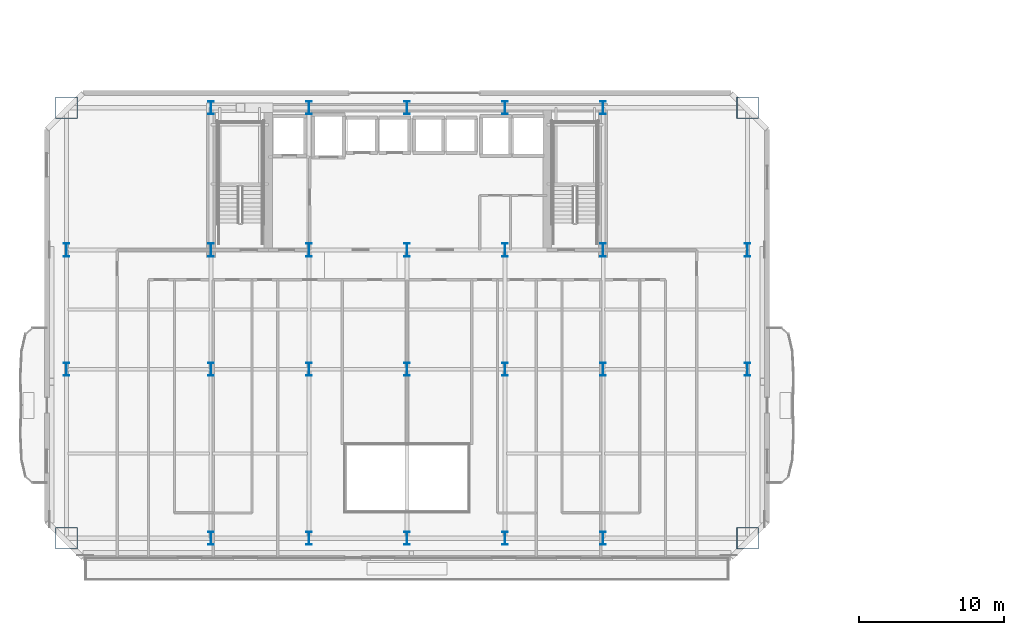
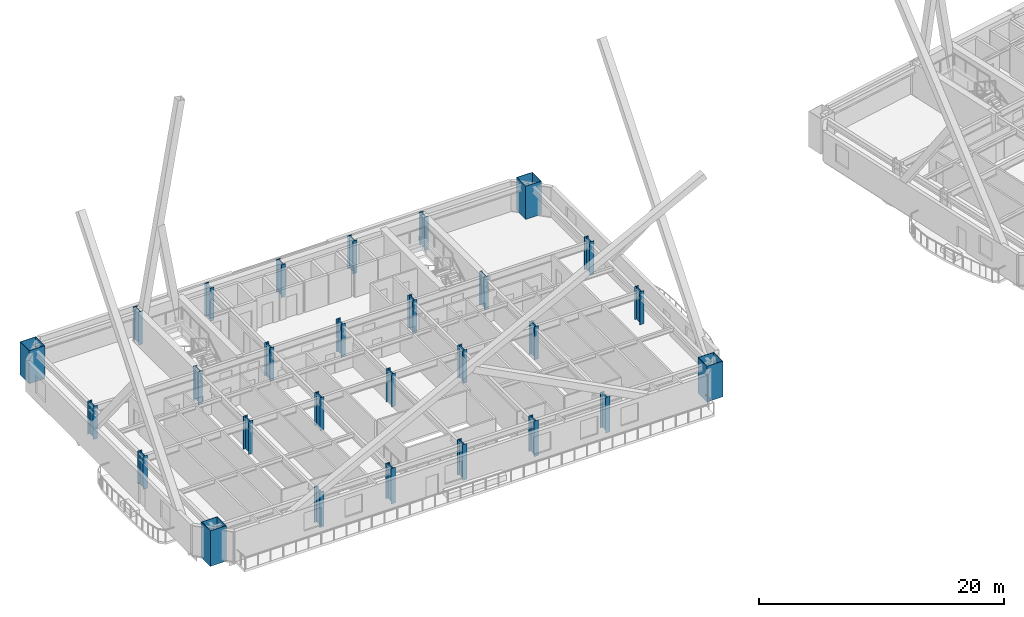
# One storey, part 1 of 22: 28 columns.
"""IFC4 building model written with IfcOpenShell, lengths in metres."""

from ifc_helpers import new_model, si_unit, direction, frame, origin, origin_2d, place, context, subcontext, project, spatial, hollow_rectangle, i_section, extrude, material, material_profile, profile_set, type_object, element, save


model = new_model("IFC4")

# Units and contexts
model_context = context("Model", 3, precision=1e-05, world=origin(), true_north=direction((0.0, 1.0)))
body_context = subcontext(model_context, "Body", "Model", "MODEL_VIEW")
ifc_project = project(units=[si_unit("LENGTHUNIT", "METRE"), si_unit("AREAUNIT", "SQUARE_METRE"), si_unit("VOLUMEUNIT", "CUBIC_METRE"), si_unit("PLANEANGLEUNIT", "RADIAN"), si_unit("MASSUNIT", "GRAM", prefix="KILO")], contexts=[model_context])

# Site, building, storey
site_placement = place(None, origin())
site = spatial("IfcSite", under=ifc_project, at=site_placement, CompositionType="ELEMENT")
building_placement = place(site_placement, origin())
building = spatial("IfcBuilding", under=site, at=building_placement, Name="Haevon Station Towers", CompositionType="ELEMENT")
storey_placement = place(building_placement, frame((0.0, 0.0, 70.199951171875)))
storey = spatial("IfcBuildingStorey", under=building, at=storey_placement, Name="L18", CompositionType="ELEMENT", Elevation=70.199951171875)

# Columns
ifc_material = material(Name="Steel S460", Category="steel")
ifc_material_profile_1 = material_profile(ifc_material, hollow_rectangle(XDim=1.5, YDim=1.5, WallThickness=0.0400390625, at=origin_2d()), Name="BOX-1500x1500x40")
ifc_profile_set_1 = profile_set([ifc_material_profile_1], Name="Steel S460")
column_type_1 = type_object("IfcColumnType", Name="COL-MC2", PredefinedType="COLUMN", material=ifc_profile_set_1)
column_1_placement = place(storey_placement, frame((14.050048828125, 18.35009765625, -0.25), z_axis=(0.0, 0.0, 1.0), x_axis=(1.0, 0.0, 0.0)))
element("IfcColumn", 1, at=column_1_placement, inside=storey, type_object=column_type_1, Name="COL-T1-L18-01-01", PredefinedType="COLUMN", context=body_context, shape_type="SweptSolid", body=[
    extrude(hollow_rectangle(XDim=1.5, YDim=1.5, WallThickness=0.0400390625, at=origin_2d()), origin(), (0.0, 0.0, 1.0), 3.550048828125),
])
column_2_placement = place(storey_placement, frame((14.050048828125, 48.0, 0.0), z_axis=(0.0, 0.0, 1.0), x_axis=(1.0, 0.0, 0.0)))
element("IfcColumn", 2, at=column_2_placement, inside=storey, type_object=column_type_1, Name="COL-T1-L18-01-04", PredefinedType="COLUMN", context=body_context, shape_type="SweptSolid", body=[
    extrude(hollow_rectangle(XDim=1.5, YDim=1.5, WallThickness=0.0400390625, at=origin_2d()), origin(), (0.0, 0.0, 1.0), 3.300048828125),
])
column_3_placement = place(storey_placement, frame((60.949951171875, 18.35009765625, -0.25), z_axis=(0.0, 0.0, 1.0), x_axis=(1.0, 0.0, 0.0)))
element("IfcColumn", 3, at=column_3_placement, inside=storey, type_object=column_type_1, Name="COL-T1-L18-07-01", PredefinedType="COLUMN", context=body_context, shape_type="SweptSolid", body=[
    extrude(hollow_rectangle(XDim=1.5, YDim=1.5, WallThickness=0.0400390625, at=origin_2d()), origin(), (0.0, 0.0, 1.0), 3.550048828125),
])
column_4_placement = place(storey_placement, frame((60.949951171875, 48.0, 0.0), z_axis=(0.0, 0.0, 1.0), x_axis=(1.0, 0.0, 0.0)))
element("IfcColumn", 4, at=column_4_placement, inside=storey, type_object=column_type_1, Name="COL-T1-L18-07-04", PredefinedType="COLUMN", context=body_context, shape_type="SweptSolid", body=[
    extrude(hollow_rectangle(XDim=1.5, YDim=1.5, WallThickness=0.0400390625, at=origin_2d()), origin(), (0.0, 0.0, 1.0), 3.300048828125),
])
ifc_material_profile_2 = material_profile(ifc_material, i_section(OverallWidth=0.39990234375, OverallDepth=0.89990234375, WebThickness=0.02001953125, FlangeThickness=0.035888671875, at=origin_2d()), Name="H-900x400x20x36")
ifc_profile_set_2 = profile_set([ifc_material_profile_2], Name="Steel S460")
column_type_2 = type_object("IfcColumnType", Name="COL-TW1", PredefinedType="COLUMN", material=ifc_profile_set_2)
for number, where, z_axis, x_axis, name in (
    (5, (14.050048828125, 30.0, 0.0), (0.0, 0.0, 1.0), (1.0, 0.0, 0.0), "COL-T1-L18-01-02"),
    (6, (14.050048828125, 38.199951171875, 0.0), (0.0, 0.0, 1.0), (1.0, 0.0, 0.0), "COL-T1-L18-01-03"),
):
    element("IfcColumn", number, at=place(storey_placement, frame(where, z_axis=z_axis, x_axis=x_axis)), inside=storey, type_object=column_type_2, Name=name, PredefinedType="COLUMN", context=body_context, shape_type="SweptSolid", body=[
        extrude(i_section(OverallWidth=0.39990234375, OverallDepth=0.89990234375, WebThickness=0.02001953125, FlangeThickness=0.035888671875, at=origin_2d()), origin(), (0.0, 0.0, 1.0), 3.300048828125),
    ])
column_5_placement = place(storey_placement, frame((24.0, 18.35009765625, -0.25), z_axis=(0.0, 0.0, 1.0), x_axis=(1.0, 0.0, 0.0)))
element("IfcColumn", 7, at=column_5_placement, inside=storey, type_object=column_type_2, Name="COL-T1-L18-02-01", PredefinedType="COLUMN", context=body_context, shape_type="SweptSolid", body=[
    extrude(i_section(OverallWidth=0.39990234375, OverallDepth=0.89990234375, WebThickness=0.02001953125, FlangeThickness=0.035888671875, at=origin_2d()), origin(), (0.0, 0.0, 1.0), 3.550048828125),
])
for number, where, z_axis, x_axis, name in (
    (8, (24.0, 30.0, 0.0), (0.0, 0.0, 1.0), (1.0, 0.0, 0.0), "COL-T1-L18-02-02"),
    (9, (24.0, 38.199951171875, 0.0), (0.0, 0.0, 1.0), (1.0, 0.0, 0.0), "COL-T1-L18-02-03"),
    (10, (24.0, 48.0, 0.0), (0.0, 0.0, 1.0), (1.0, 0.0, 0.0), "COL-T1-L18-02-04"),
):
    element("IfcColumn", number, at=place(storey_placement, frame(where, z_axis=z_axis, x_axis=x_axis)), inside=storey, type_object=column_type_2, Name=name, PredefinedType="COLUMN", context=body_context, shape_type="SweptSolid", body=[
        extrude(i_section(OverallWidth=0.39990234375, OverallDepth=0.89990234375, WebThickness=0.02001953125, FlangeThickness=0.035888671875, at=origin_2d()), origin(), (0.0, 0.0, 1.0), 3.300048828125),
    ])
column_6_placement = place(storey_placement, frame((30.75, 18.35009765625, -0.25), z_axis=(0.0, 0.0, 1.0), x_axis=(1.0, 0.0, 0.0)))
element("IfcColumn", 11, at=column_6_placement, inside=storey, type_object=column_type_2, Name="COL-T1-L18-03-01", PredefinedType="COLUMN", context=body_context, shape_type="SweptSolid", body=[
    extrude(i_section(OverallWidth=0.39990234375, OverallDepth=0.89990234375, WebThickness=0.02001953125, FlangeThickness=0.035888671875, at=origin_2d()), origin(), (0.0, 0.0, 1.0), 3.550048828125),
])
for number, where, z_axis, x_axis, name in (
    (12, (30.75, 30.0, 0.0), (0.0, 0.0, 1.0), (1.0, 0.0, 0.0), "COL-T1-L18-03-02"),
    (13, (30.75, 38.199951171875, 0.0), (0.0, 0.0, 1.0), (1.0, 0.0, 0.0), "COL-T1-L18-03-03"),
    (14, (30.75, 48.0, 0.0), (0.0, 0.0, 1.0), (1.0, 0.0, 0.0), "COL-T1-L18-03-04"),
):
    element("IfcColumn", number, at=place(storey_placement, frame(where, z_axis=z_axis, x_axis=x_axis)), inside=storey, type_object=column_type_2, Name=name, PredefinedType="COLUMN", context=body_context, shape_type="SweptSolid", body=[
        extrude(i_section(OverallWidth=0.39990234375, OverallDepth=0.89990234375, WebThickness=0.02001953125, FlangeThickness=0.035888671875, at=origin_2d()), origin(), (0.0, 0.0, 1.0), 3.300048828125),
    ])
column_7_placement = place(storey_placement, frame((37.5, 18.35009765625, -0.25), z_axis=(0.0, 0.0, 1.0), x_axis=(1.0, 0.0, 0.0)))
element("IfcColumn", 15, at=column_7_placement, inside=storey, type_object=column_type_2, Name="COL-T1-L18-04-01", PredefinedType="COLUMN", context=body_context, shape_type="SweptSolid", body=[
    extrude(i_section(OverallWidth=0.39990234375, OverallDepth=0.89990234375, WebThickness=0.02001953125, FlangeThickness=0.035888671875, at=origin_2d()), origin(), (0.0, 0.0, 1.0), 3.550048828125),
])
for number, where, z_axis, x_axis, name in (
    (16, (37.5, 30.0, 0.0), (0.0, 0.0, 1.0), (1.0, 0.0, 0.0), "COL-T1-L18-04-02"),
    (17, (37.5, 38.199951171875, 0.0), (0.0, 0.0, 1.0), (1.0, 0.0, 0.0), "COL-T1-L18-04-03"),
    (18, (37.5, 48.0, 0.0), (0.0, 0.0, 1.0), (1.0, 0.0, 0.0), "COL-T1-L18-04-04"),
):
    element("IfcColumn", number, at=place(storey_placement, frame(where, z_axis=z_axis, x_axis=x_axis)), inside=storey, type_object=column_type_2, Name=name, PredefinedType="COLUMN", context=body_context, shape_type="SweptSolid", body=[
        extrude(i_section(OverallWidth=0.39990234375, OverallDepth=0.89990234375, WebThickness=0.02001953125, FlangeThickness=0.035888671875, at=origin_2d()), origin(), (0.0, 0.0, 1.0), 3.300048828125),
    ])
column_8_placement = place(storey_placement, frame((44.25, 18.35009765625, -0.25), z_axis=(0.0, 0.0, 1.0), x_axis=(1.0, 0.0, 0.0)))
element("IfcColumn", 19, at=column_8_placement, inside=storey, type_object=column_type_2, Name="COL-T1-L18-05-01", PredefinedType="COLUMN", context=body_context, shape_type="SweptSolid", body=[
    extrude(i_section(OverallWidth=0.39990234375, OverallDepth=0.89990234375, WebThickness=0.02001953125, FlangeThickness=0.035888671875, at=origin_2d()), origin(), (0.0, 0.0, 1.0), 3.550048828125),
])
for number, where, z_axis, x_axis, name in (
    (20, (44.25, 30.0, 0.0), (0.0, 0.0, 1.0), (1.0, 0.0, 0.0), "COL-T1-L18-05-02"),
    (21, (44.25, 38.199951171875, 0.0), (0.0, 0.0, 1.0), (1.0, 0.0, 0.0), "COL-T1-L18-05-03"),
    (22, (44.25, 48.0, 0.0), (0.0, 0.0, 1.0), (1.0, 0.0, 0.0), "COL-T1-L18-05-04"),
):
    element("IfcColumn", number, at=place(storey_placement, frame(where, z_axis=z_axis, x_axis=x_axis)), inside=storey, type_object=column_type_2, Name=name, PredefinedType="COLUMN", context=body_context, shape_type="SweptSolid", body=[
        extrude(i_section(OverallWidth=0.39990234375, OverallDepth=0.89990234375, WebThickness=0.02001953125, FlangeThickness=0.035888671875, at=origin_2d()), origin(), (0.0, 0.0, 1.0), 3.300048828125),
    ])
column_9_placement = place(storey_placement, frame((51.0, 18.35009765625, -0.25), z_axis=(0.0, 0.0, 1.0), x_axis=(1.0, 0.0, 0.0)))
element("IfcColumn", 23, at=column_9_placement, inside=storey, type_object=column_type_2, Name="COL-T1-L18-06-01", PredefinedType="COLUMN", context=body_context, shape_type="SweptSolid", body=[
    extrude(i_section(OverallWidth=0.39990234375, OverallDepth=0.89990234375, WebThickness=0.02001953125, FlangeThickness=0.035888671875, at=origin_2d()), origin(), (0.0, 0.0, 1.0), 3.550048828125),
])
for number, where, z_axis, x_axis, name in (
    (24, (51.0, 30.0, 0.0), (0.0, 0.0, 1.0), (1.0, 0.0, 0.0), "COL-T1-L18-06-02"),
    (25, (51.0, 38.199951171875, 0.0), (0.0, 0.0, 1.0), (1.0, 0.0, 0.0), "COL-T1-L18-06-03"),
    (26, (51.0, 48.0, 0.0), (0.0, 0.0, 1.0), (1.0, 0.0, 0.0), "COL-T1-L18-06-04"),
    (27, (60.949951171875, 30.0, 0.0), (0.0, 0.0, 1.0), (1.0, 0.0, 0.0), "COL-T1-L18-07-02"),
    (28, (60.949951171875, 38.199951171875, 0.0), (0.0, 0.0, 1.0), (1.0, 0.0, 0.0), "COL-T1-L18-07-03"),
):
    element("IfcColumn", number, at=place(storey_placement, frame(where, z_axis=z_axis, x_axis=x_axis)), inside=storey, type_object=column_type_2, Name=name, PredefinedType="COLUMN", context=body_context, shape_type="SweptSolid", body=[
        extrude(i_section(OverallWidth=0.39990234375, OverallDepth=0.89990234375, WebThickness=0.02001953125, FlangeThickness=0.035888671875, at=origin_2d()), origin(), (0.0, 0.0, 1.0), 3.300048828125),
    ])

save(model, "model.ifc")
